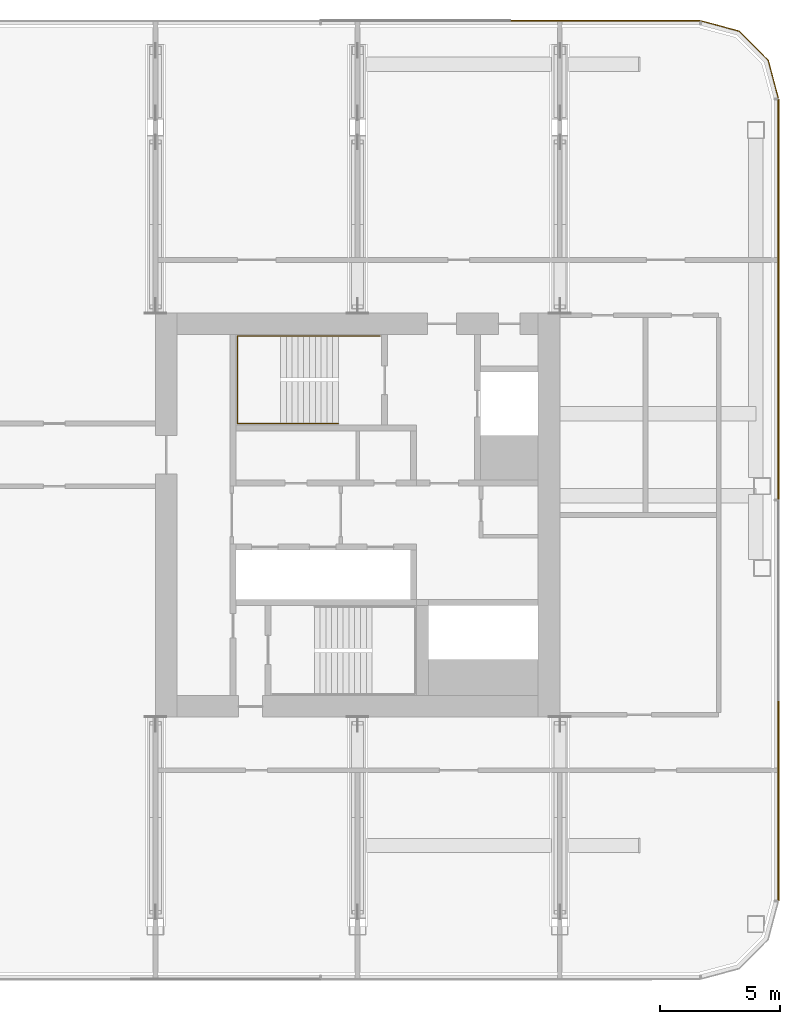
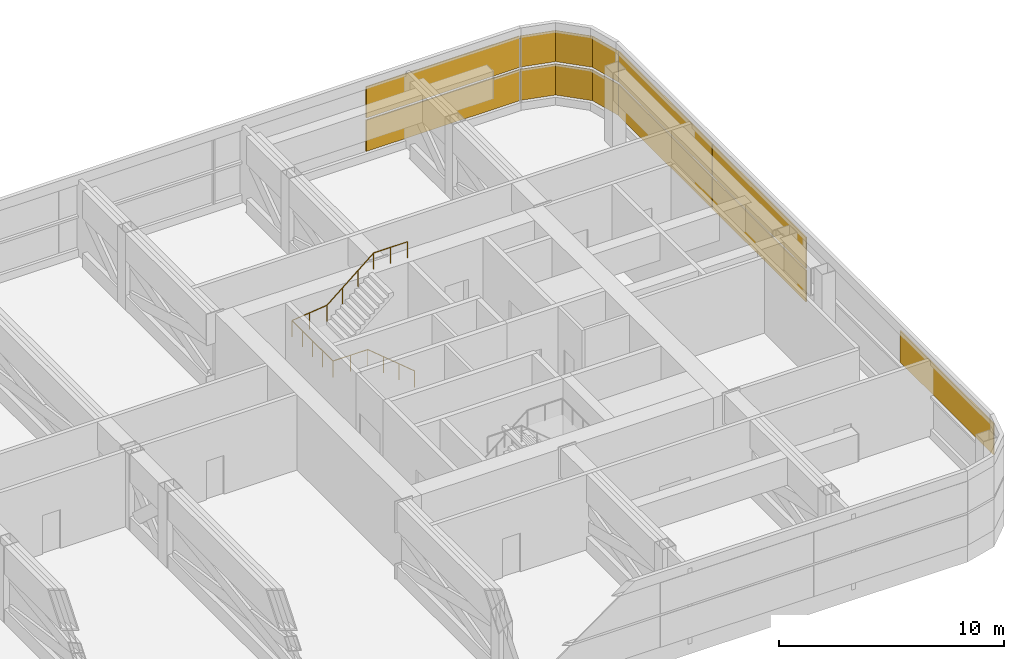
# One storey, part 33 of 33: 9 shading devices, 1 railing, 3 elements without a shape of their own.
"""IFC4 building model written with IfcOpenShell, lengths in metres."""

import ifcopenshell
import ifcopenshell.guid

model = None  # the IFC model being written
_history = None  # IfcOwnerHistory: only IFC2X3 demands one
_inside = {}  # id of a spatial element -> (the spatial element, [elements in it])
_under = {}  # id of a project, library or spatial element -> (it, [spatial elements below it])
_declared = {}  # id of a project -> (the project, [libraries it declares])
_typed = {}  # id of a type object -> (the type object, [elements of that type])
_made_of = {}  # id of a material, layer set ... -> (it, [elements and type objects made of it])


def new_model(schema):
    """Start an empty IFC model of exactly this schema.

    Asked for "IFC4X3", IfcOpenShell would pick the latest addendum, in which some entities
    have other attributes; the version numbers below select the first issue.
    IFC2X3 requires an IfcOwnerHistory on every rooted entity: one is made here for all.
    """
    global model, _history
    if schema == "IFC4X3":
        model = ifcopenshell.file(schema_version=(4, 3, 0, 0))
    else:
        model = ifcopenshell.file(schema=schema)
    _inside.clear()
    _under.clear()
    _declared.clear()
    _typed.clear()
    _made_of.clear()
    _history = None
    if model.schema == "IFC2X3":
        org = make("IfcOrganization", Name="unknown")
        user = make(
            "IfcPersonAndOrganization",
            ThePerson=make("IfcPerson", FamilyName="unknown"),
            TheOrganization=org,
        )
        app = make(
            "IfcApplication",
            ApplicationDeveloper=org,
            Version="unknown",
            ApplicationFullName="unknown",
            ApplicationIdentifier="unknown",
        )
        _history = make(
            "IfcOwnerHistory",
            OwningUser=user,
            OwningApplication=app,
            ChangeAction="ADDED",
            CreationDate=0,
        )
    return model


def make(cls, **values):
    """One entity of the class cls with the attributes given. An attribute that is None is left unset."""
    return model.create_entity(
        cls, **{name: value for name, value in values.items() if value is not None}
    )


def rooted(cls, **values):
    """An entity with a GlobalId (a new one), such as an element, a storey or a relation."""
    return make(cls, GlobalId=ifcopenshell.guid.new(), OwnerHistory=_history, **values)


def si_unit(unit_type, name, prefix=None):
    """IfcSIUnit, for example si_unit("LENGTHUNIT", "METRE", prefix="MILLI")."""
    return make("IfcSIUnit", UnitType=unit_type, Prefix=prefix, Name=name)


def assignment(units):
    """IfcUnitAssignment: the units of a project."""
    return None if units is None else make("IfcUnitAssignment", Units=units)


def point(xyz):
    """IfcCartesianPoint."""
    return None if xyz is None else make("IfcCartesianPoint", Coordinates=xyz)


def direction(xyz):
    """IfcDirection."""
    return None if xyz is None else make("IfcDirection", DirectionRatios=xyz)


def frame(location, z_axis=None, x_axis=None):
    """IfcAxis2Placement3D, a coordinate frame: its origin and axes. An axis left out is left unset."""
    return make(
        "IfcAxis2Placement3D",
        Location=point(location),
        Axis=direction(z_axis),
        RefDirection=direction(x_axis),
    )


def frame_2d(location, x_axis=None):
    """IfcAxis2Placement2D, a coordinate frame in the plane: its origin and x axis."""
    return make(
        "IfcAxis2Placement2D", Location=point(location), RefDirection=direction(x_axis)
    )


def origin():
    """The frame at (0, 0, 0) with its axes left unset."""
    return frame((0.0, 0.0, 0.0))


def origin_2d():
    """The frame at (0, 0) in the plane with its x axis left unset."""
    return frame_2d((0.0, 0.0))


def place(relative_to, where):
    """IfcLocalPlacement: puts the frame where relative to a parent placement (None: the world)."""
    return make(
        "IfcLocalPlacement", PlacementRelTo=relative_to, RelativePlacement=where
    )


def context(
    kind, dimensions, precision=None, world=None, true_north=None, identifier=None
):
    """IfcGeometricRepresentationContext, for example the 3D "Model" context."""
    return make(
        "IfcGeometricRepresentationContext",
        ContextIdentifier=identifier,
        ContextType=kind,
        CoordinateSpaceDimension=dimensions,
        Precision=precision,
        WorldCoordinateSystem=world,
        TrueNorth=true_north,
    )


def subcontext(parent, identifier, kind, view, scale=None):
    """IfcGeometricRepresentationSubContext, for example "Body" below "Model"."""
    return make(
        "IfcGeometricRepresentationSubContext",
        ContextIdentifier=identifier,
        ContextType=kind,
        ParentContext=parent,
        TargetScale=scale,
        TargetView=view,
    )


def project(units=None, contexts=None):
    """IfcProject with its units and contexts."""
    return rooted(
        "IfcProject",
        Name="project",
        RepresentationContexts=contexts,
        UnitsInContext=assignment(units),
    )


def spatial(cls, under=None, at=None, **own):
    """A site, building, storey or space (cls), placed at a placement, below another one or the project."""
    s = rooted(cls, ObjectPlacement=at, **own)
    if under is not None:
        _under.setdefault(under.id(), (under, []))[1].append(s)
    return s


def polyline(points):
    """IfcPolyline through the points."""
    return make("IfcPolyline", Points=[point(p) for p in points])


def profile(cls, at=None, kind="AREA", **sizes):
    """A parametric profile (cls). Its sizes go by their IFC names, for example OverallWidth=200.0."""
    return make(cls, ProfileType=kind, Position=at, **sizes)


def rectangle(**sizes):
    """IfcRectangleProfileDef."""
    return profile("IfcRectangleProfileDef", **sizes)


def circle(**sizes):
    """IfcCircleProfileDef."""
    return profile("IfcCircleProfileDef", **sizes)


def outline(outer, holes=None, kind="AREA"):
    """IfcArbitraryClosedProfileDef: a profile drawn as a closed curve; with holes, ...WithVoids."""
    if holes is None:
        return make("IfcArbitraryClosedProfileDef", ProfileType=kind, OuterCurve=outer)
    return make(
        "IfcArbitraryProfileDefWithVoids",
        ProfileType=kind,
        OuterCurve=outer,
        InnerCurves=holes,
    )


def extrude(swept, where, along, depth):
    """IfcExtrudedAreaSolid: the profile swept, set in the frame where, extruded along a direction by depth."""
    return make(
        "IfcExtrudedAreaSolid",
        SweptArea=swept,
        Position=where,
        ExtrudedDirection=direction(along),
        Depth=depth,
    )


def shape(context_of_items, identifier, shape_type, items):
    """IfcShapeRepresentation: the items that make up one representation, for example the "Body"."""
    return make(
        "IfcShapeRepresentation",
        ContextOfItems=context_of_items,
        RepresentationIdentifier=identifier,
        RepresentationType=shape_type,
        Items=items,
    )


def material(Name=None, Category=None):
    """IfcMaterial."""
    return make("IfcMaterial", Name=Name, Category=Category)


def layer(
    of_material, thickness, ventilated=None, Name=None, Category=None, Priority=None
):
    """IfcMaterialLayer: one layer of a wall or slab, of a material (None: an air gap)."""
    return make(
        "IfcMaterialLayer",
        Material=of_material,
        LayerThickness=thickness,
        IsVentilated=ventilated,
        Name=Name,
        Category=Category,
        Priority=Priority,
    )


def layer_set(layers, Name=None):
    """IfcMaterialLayerSet."""
    return make("IfcMaterialLayerSet", MaterialLayers=layers, LayerSetName=Name)


def made_of(thing, what):
    """Note that an element or type object is made of a material, layer set ...; save() writes the relation."""
    if what is not None:
        _made_of.setdefault(what.id(), (what, []))[1].append(thing)
    return thing


def type_object(cls, material=None, **own):
    """A type object (cls), such as IfcWallType, which elements share."""
    return made_of(rooted(cls, **own), material)


def element(
    cls,
    number,
    at=None,
    inside=None,
    cuts=None,
    type_object=None,
    material=None,
    context=None,
    identifier="Body",
    shape_type=None,
    held_by="IfcProductDefinitionShape",
    body=None,
    shapes=None,
    **own,
):
    """One element of the class cls, such as IfcWall. Its Tag is "e" and its number.

    at: its placement. inside: the storey or other place that contains it. cuts: it is an
    opening in that element (IfcRelVoidsElement). A single representation is given by context,
    identifier, shape_type and body (its items); several are given by shapes. held_by: the class
    of the entity that holds the representations. save() writes the other relations.
    """
    e = rooted(cls, Tag="e%d" % number, ObjectPlacement=at, **own)
    if body is not None:
        shapes = [shape(context, identifier, shape_type, body)]
    if shapes is not None:
        e.Representation = make(held_by, Representations=shapes)
    if inside is not None:
        _inside.setdefault(inside.id(), (inside, []))[1].append(e)
    if cuts is not None:
        rooted(
            "IfcRelVoidsElement", RelatingBuildingElement=cuts, RelatedOpeningElement=e
        )
    if type_object is not None:
        _typed.setdefault(type_object.id(), (type_object, []))[1].append(e)
    return made_of(e, material)


def aggregate(whole, parts):
    """IfcRelAggregates: a whole, such as a stair, and the parts it consists of."""
    return rooted("IfcRelAggregates", RelatingObject=whole, RelatedObjects=parts)


def save(model, path):
    """Write the relations noted so far, then the file.

    IfcRelAggregates (storeys below a building ...), IfcRelContainedInSpatialStructure (elements
    in a storey), IfcRelDefinesByType, IfcRelAssociatesMaterial and IfcRelDeclares: one each for
    every whole, place, type object, material and project.
    """
    for whole, parts in _under.values():
        aggregate(whole, parts)
    for where, things in _inside.values():
        rooted(
            "IfcRelContainedInSpatialStructure",
            RelatedElements=things,
            RelatingStructure=where,
        )
    for kind, things in _typed.values():
        rooted("IfcRelDefinesByType", RelatedObjects=things, RelatingType=kind)
    for what, things in _made_of.values():
        rooted("IfcRelAssociatesMaterial", RelatedObjects=things, RelatingMaterial=what)
    for by, libraries in _declared.values():
        rooted("IfcRelDeclares", RelatingContext=by, RelatedDefinitions=libraries)
    model.write(path)


model = new_model("IFC4")

# Units and contexts
model_context = context("Model", 3, precision=1e-05, world=origin(), true_north=direction((0.0, 1.0)))
body_context = subcontext(model_context, "Body", "Model", "MODEL_VIEW")
ifc_project = project(units=[si_unit("LENGTHUNIT", "METRE"), si_unit("AREAUNIT", "SQUARE_METRE"), si_unit("VOLUMEUNIT", "CUBIC_METRE"), si_unit("PLANEANGLEUNIT", "RADIAN"), si_unit("MASSUNIT", "GRAM", prefix="KILO")], contexts=[model_context])

# Site, building, storey
site_placement = place(None, origin())
site = spatial("IfcSite", under=ifc_project, at=site_placement, CompositionType="ELEMENT")
building_placement = place(site_placement, origin())
building = spatial("IfcBuilding", under=site, at=building_placement, Name="Hakoniwa Tower and Hamabe Station Hall", CompositionType="ELEMENT")
storey_placement = place(building_placement, frame((0.0, 0.0, 175.800048828125)))
storey = spatial("IfcBuildingStorey", under=building, at=storey_placement, Name="L50", CompositionType="ELEMENT", Elevation=175.800048828125)

# Curtain wall, shading devices
ifc_material_1 = material(Name="Dark low-e laminated glass", Category="glass")
ifc_layer_1 = layer(ifc_material_1, 0.199951171875)
ifc_layer_set_1 = layer_set([ifc_layer_1], Name="CW-6 PLANT LOUVRE")
curtain_wall_type = type_object("IfcCurtainWallType", Name="CW-6 PLANT LOUVRE", PredefinedType="NOTDEFINED", material=ifc_layer_set_1)
curtain_wall_1_placement = place(storey_placement, origin())
curtain_wall_1 = element("IfcCurtainWall", 1, at=curtain_wall_1_placement, inside=storey, type_object=curtain_wall_type, Name="CW-6 curtain wall", PredefinedType="NOTDEFINED")
ifc_material_2 = material(Name="Aluminium 6063-T5 black anodised louvre", Category="aluminium")
ifc_layer_2 = layer(ifc_material_2, 0.06005859375)
ifc_layer_set_2 = layer_set([ifc_layer_2], Name="CW-6 LOUVRE UNIT")
shading_device_type = type_object("IfcShadingDeviceType", Name="CW-6 LOUVRE UNIT", PredefinedType="JALOUSIE", material=ifc_layer_set_2)
shading_device_1_placement = place(storey_placement, frame((42.68603515625, -11.873291015625, 2.159912109375), z_axis=(0.0, 0.0, 1.0), x_axis=(0.0, 1.0, 0.0)))
shading_device_1 = element("IfcShadingDevice", 2, at=shading_device_1_placement, type_object=shading_device_type, Name="CW-6 louvre unit", PredefinedType="JALOUSIE", context=body_context, shape_type="SweptSolid", body=[
    extrude(rectangle(XDim=8.312255859375, YDim=0.06005859375, at=origin_2d()), origin(), (0.0, 0.0, 1.0), 1.68994140625),
])
shading_device_2_placement = place(storey_placement, frame((42.68603515625, 4.791015625, 0.35009765625), z_axis=(0.0, 0.0, 1.0), x_axis=(0.0, 1.0, 0.0)))
shading_device_2 = element("IfcShadingDevice", 3, at=shading_device_2_placement, type_object=shading_device_type, Name="CW-6 louvre unit", PredefinedType="JALOUSIE", context=body_context, shape_type="SweptSolid", body=[
    extrude(rectangle(XDim=8.312255859375, YDim=0.06005859375, at=origin_2d()), origin(), (0.0, 0.0, 1.0), 1.68994140625),
])
shading_device_3_placement = place(storey_placement, frame((42.68603515625, 4.791015625, 2.159912109375), z_axis=(0.0, 0.0, 1.0), x_axis=(0.0, 1.0, 0.0)))
shading_device_3 = element("IfcShadingDevice", 4, at=shading_device_3_placement, type_object=shading_device_type, Name="CW-6 louvre unit", PredefinedType="JALOUSIE", context=body_context, shape_type="SweptSolid", body=[
    extrude(rectangle(XDim=8.312255859375, YDim=0.06005859375, at=origin_2d()), origin(), (0.0, 0.0, 1.0), 1.68994140625),
])
shading_device_4_placement = place(storey_placement, frame((42.68603515625, 13.123291015625, 0.35009765625), z_axis=(0.0, 0.0, 1.0), x_axis=(0.0, 1.0, 0.0)))
shading_device_4 = element("IfcShadingDevice", 5, at=shading_device_4_placement, type_object=shading_device_type, Name="CW-6 louvre unit", PredefinedType="JALOUSIE", context=body_context, shape_type="SweptSolid", body=[
    extrude(rectangle(XDim=8.312255859375, YDim=0.06005859375, at=origin_2d()), origin(), (0.0, 0.0, 1.0), 1.68994140625),
])
shading_device_5_placement = place(storey_placement, frame((42.68603515625, 13.123291015625, 2.159912109375), z_axis=(0.0, 0.0, 1.0), x_axis=(0.0, 1.0, 0.0)))
shading_device_5 = element("IfcShadingDevice", 6, at=shading_device_5_placement, type_object=shading_device_type, Name="CW-6 louvre unit", PredefinedType="JALOUSIE", context=body_context, shape_type="SweptSolid", body=[
    extrude(rectangle(XDim=8.312255859375, YDim=0.06005859375, at=origin_2d()), origin(), (0.0, 0.0, 1.0), 1.68994140625),
])
aggregate(curtain_wall_1, [shading_device_1, shading_device_2, shading_device_3, shading_device_4, shading_device_5])

curtain_wall_2_placement = place(storey_placement, origin())
curtain_wall_2 = element("IfcCurtainWall", 7, at=curtain_wall_2_placement, inside=storey, type_object=curtain_wall_type, Name="CW-6 curtain wall", PredefinedType="NOTDEFINED")
shading_device_6_placement = place(storey_placement, frame((0.0, 0.0, 0.349853515625)))
shading_device_6 = element("IfcShadingDevice", 8, at=shading_device_6_placement, type_object=shading_device_type, Name="CW-6 curved corner unit", PredefinedType="JALOUSIE", context=body_context, shape_type="SweptSolid", body=[
    extrude(outline(polyline([(42.689697265625, 17.328125), (42.26708984375, 18.9052734375), (41.05517578125, 20.116943359375), (39.47802734375, 20.53955078125), (39.470947265625, 20.5126953125), (41.040771484375, 20.092041015625), (42.241943359375, 18.890869140625), (42.66259765625, 17.32080078125), (42.689697265625, 17.328125)])), origin(), (0.0, 0.0, 1.0), 1.690185546875),
])
shading_device_7_placement = place(storey_placement, frame((0.0, 0.0, 2.159912109375)))
shading_device_7 = element("IfcShadingDevice", 9, at=shading_device_7_placement, type_object=shading_device_type, Name="CW-6 curved corner unit", PredefinedType="JALOUSIE", context=body_context, shape_type="SweptSolid", body=[
    extrude(outline(polyline([(42.689697265625, 17.328125), (42.26708984375, 18.9052734375), (41.05517578125, 20.116943359375), (39.47802734375, 20.53955078125), (39.470947265625, 20.5126953125), (41.040771484375, 20.092041015625), (42.241943359375, 18.890869140625), (42.66259765625, 17.32080078125), (42.689697265625, 17.328125)])), origin(), (0.0, 0.0, 1.0), 1.68994140625),
])
aggregate(curtain_wall_2, [shading_device_6, shading_device_7])

curtain_wall_3_placement = place(storey_placement, origin())
curtain_wall_3 = element("IfcCurtainWall", 10, at=curtain_wall_3_placement, inside=storey, type_object=curtain_wall_type, Name="CW-6 curtain wall", PredefinedType="NOTDEFINED")
shading_device_8_placement = place(storey_placement, frame((35.49560546875, 20.535888671875, 0.35009765625), z_axis=(0.0, 0.0, 1.0), x_axis=(-1.0, 0.0, 0.0)))
shading_device_8 = element("IfcShadingDevice", 11, at=shading_device_8_placement, type_object=shading_device_type, Name="CW-6 louvre unit", PredefinedType="JALOUSIE", context=body_context, shape_type="SweptSolid", body=[
    extrude(rectangle(XDim=7.867919921875, YDim=0.06005859375, at=origin_2d()), origin(), (0.0, 0.0, 1.0), 1.68994140625),
])
shading_device_9_placement = place(storey_placement, frame((35.49560546875, 20.535888671875, 2.159912109375), z_axis=(0.0, 0.0, 1.0), x_axis=(-1.0, 0.0, 0.0)))
shading_device_9 = element("IfcShadingDevice", 12, at=shading_device_9_placement, type_object=shading_device_type, Name="CW-6 louvre unit", PredefinedType="JALOUSIE", context=body_context, shape_type="SweptSolid", body=[
    extrude(rectangle(XDim=7.867919921875, YDim=0.06005859375, at=origin_2d()), origin(), (0.0, 0.0, 1.0), 1.68994140625),
])
aggregate(curtain_wall_3, [shading_device_8, shading_device_9])

# Railing
ifc_material_3 = material(Name="Stainless steel SUS304", Category="steel")
railing_type = type_object("IfcRailingType", Name="STAIR HANDRAIL 900", PredefinedType="HANDRAIL", material=ifc_material_3)
railing_placement = place(storey_placement, frame((24.39990234375, 3.81005859375, 0.199951171875)))
element("IfcRailing", 13, at=railing_placement, inside=storey, type_object=railing_type, Name="Handrail ST-3 L50 1", PredefinedType="HANDRAIL", context=body_context, shape_type="SweptSolid", body=[
    extrude(circle(Radius=0.02392578125, at=origin_2d()), frame((0.0, 0.0, 0.8759765625), z_axis=(-0.768208468069, 0.0, 0.640199773186), x_axis=(0.0, -1.0, 0.0)), (0.0, 0.0, 1.0), 3.1240234375),
    extrude(circle(Radius=0.02392578125, at=origin_2d()), frame((-2.39990234375, 0.0, 2.8759765625), z_axis=(-1.0, 0.0, 0.0), x_axis=(0.0, -1.0, 0.0)), (0.0, 0.0, 1.0), 1.7900390625),
    extrude(circle(Radius=0.02392578125, at=origin_2d()), frame((-4.18994140625, 0.0, 2.8759765625), z_axis=(0.0, 1.0, 0.0), x_axis=(-1.0, 0.0, 0.0)), (0.0, 0.0, 1.0), 3.6298828125),
    extrude(circle(Radius=0.02392578125, at=origin_2d()), frame((-4.18994140625, 3.6298828125, 2.8759765625), z_axis=(0.993819098592, 0.0, 0.111011707821), x_axis=(0.0, 1.0, 0.0)), (0.0, 0.0, 1.0), 1.80126953125),
    extrude(circle(Radius=0.02392578125, at=origin_2d()), frame((-2.39990234375, 3.6298828125, 3.07568359375), z_axis=(0.768208468069, 0.0, 0.640199773186), x_axis=(0.0, 1.0, 0.0)), (0.0, 0.0, 1.0), 3.1240234375),
    extrude(circle(Radius=0.02392578125, at=origin_2d()), frame((0.0, 3.6298828125, 5.07568359375), z_axis=(1.0, 0.0, 0.0), x_axis=(0.0, 1.0, 0.0)), (0.0, 0.0, 1.0), 1.739990234375),
    extrude(circle(Radius=0.02099609375, at=origin_2d()), origin(), (0.0, 0.0, 1.0), 0.851806640625),
    extrude(circle(Radius=0.02099609375, at=origin_2d()), frame((-0.800048828125, 0.0, 0.666748046875)), (0.0, 0.0, 1.0), 0.851806640625),
    extrude(circle(Radius=0.02099609375, at=origin_2d()), frame((-1.599853515625, 0.0, 1.333251953125)), (0.0, 0.0, 1.0), 0.851806640625),
    extrude(circle(Radius=0.02099609375, at=origin_2d()), frame((-2.39990234375, 0.0, 2.0)), (0.0, 0.0, 1.0), 0.851806640625),
    extrude(circle(Radius=0.02099609375, at=origin_2d()), frame((-3.294921875, 0.0, 2.0)), (0.0, 0.0, 1.0), 0.851806640625),
    extrude(circle(Radius=0.02099609375, at=origin_2d()), frame((-4.18994140625, 0.0, 2.0)), (0.0, 0.0, 1.0), 0.851806640625),
    extrude(circle(Radius=0.02099609375, at=origin_2d()), frame((-4.18994140625, 0.907470703125, 2.0)), (0.0, 0.0, 1.0), 0.851806640625),
    extrude(circle(Radius=0.02099609375, at=origin_2d()), frame((-4.18994140625, 1.81494140625, 2.0)), (0.0, 0.0, 1.0), 0.851806640625),
    extrude(circle(Radius=0.02099609375, at=origin_2d()), frame((-4.18994140625, 2.722412109375, 2.0)), (0.0, 0.0, 1.0), 0.851806640625),
    extrude(circle(Radius=0.02099609375, at=origin_2d()), frame((-4.18994140625, 3.6298828125, 2.0)), (0.0, 0.0, 1.0), 0.851806640625),
    extrude(circle(Radius=0.02099609375, at=origin_2d()), frame((-3.294921875, 3.6298828125, 2.10009765625)), (0.0, 0.0, 1.0), 0.851806640625),
    extrude(circle(Radius=0.02099609375, at=origin_2d()), frame((-2.39990234375, 3.6298828125, 2.199951171875)), (0.0, 0.0, 1.0), 0.851806640625),
    extrude(circle(Radius=0.02099609375, at=origin_2d()), frame((-1.599853515625, 3.6298828125, 2.86669921875)), (0.0, 0.0, 1.0), 0.851806640625),
    extrude(circle(Radius=0.02099609375, at=origin_2d()), frame((-0.800048828125, 3.6298828125, 3.533203125)), (0.0, 0.0, 1.0), 0.851806640625),
    extrude(circle(Radius=0.02099609375, at=origin_2d()), frame((0.0, 3.6298828125, 4.199951171875)), (0.0, 0.0, 1.0), 0.851806640625),
    extrude(circle(Radius=0.02099609375, at=origin_2d()), frame((0.8701171875, 3.6298828125, 4.199951171875)), (0.0, 0.0, 1.0), 0.851806640625),
    extrude(circle(Radius=0.02099609375, at=origin_2d()), frame((1.739990234375, 3.6298828125, 4.199951171875)), (0.0, 0.0, 1.0), 0.851806640625),
])

save(model, "model.ifc")
